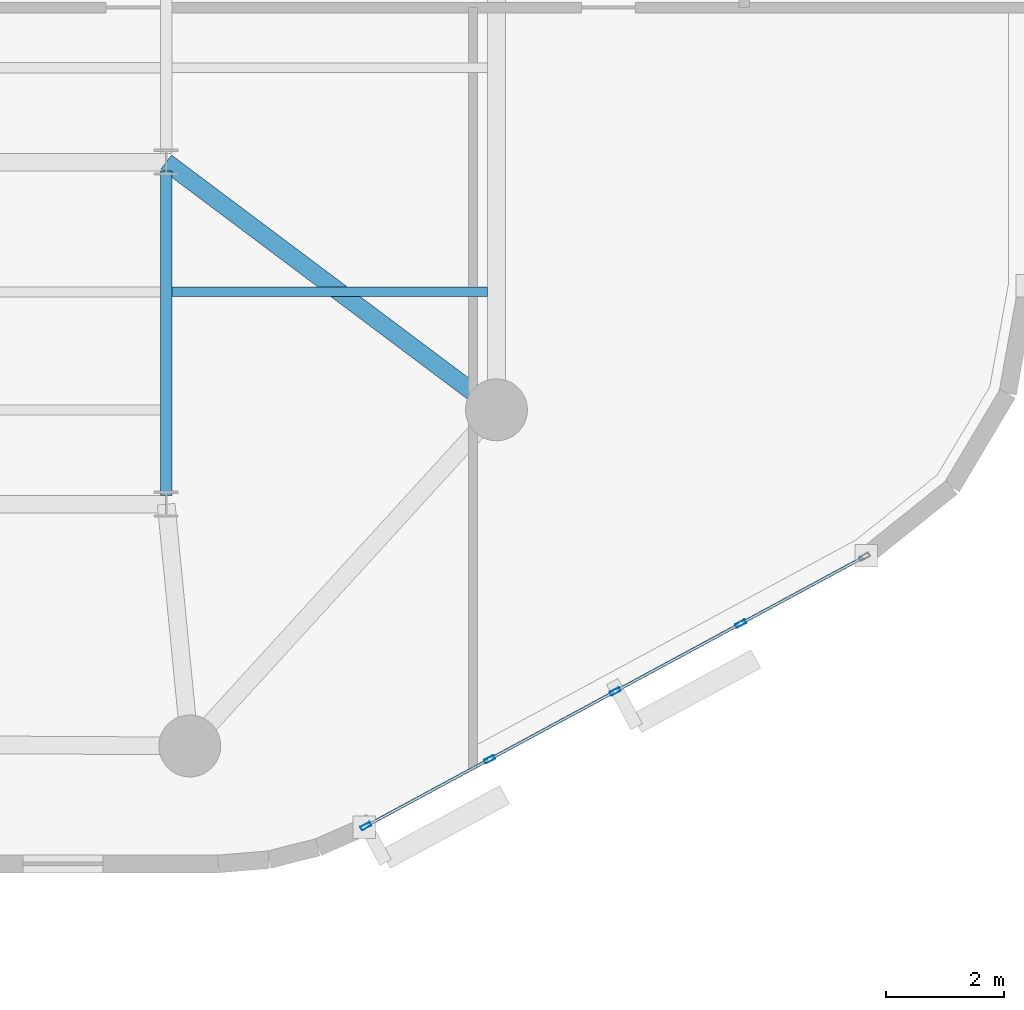
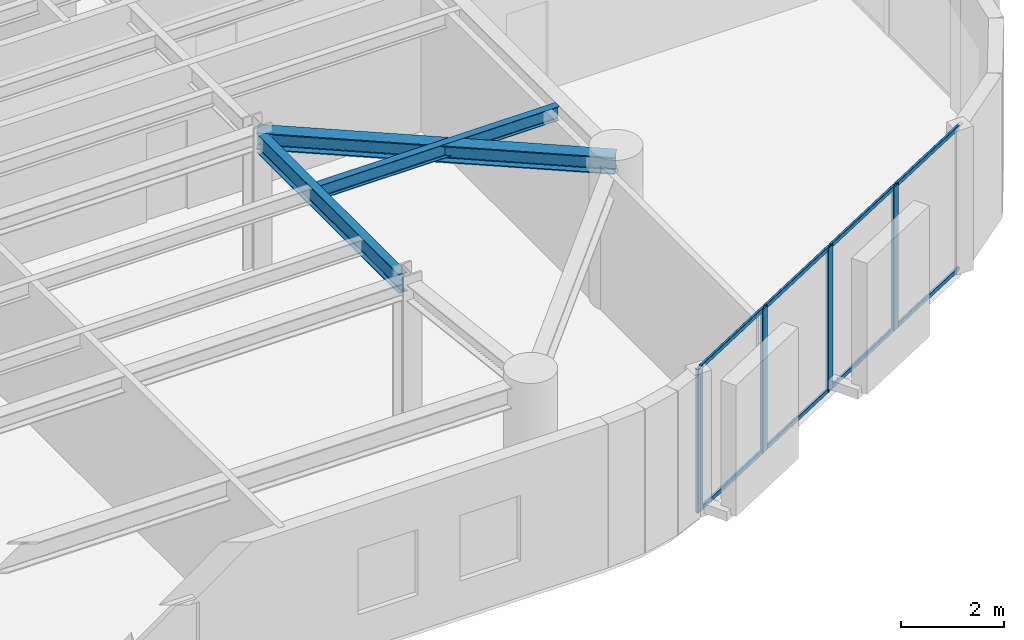
# One storey, part 2 of 13: 12 members, 3 beams, 1 element without a shape of its own.
"""IFC4 building model written with IfcOpenShell, lengths in metres."""

from ifc_helpers import new_model, si_unit, direction, frame, origin, origin_2d, place, context, subcontext, project, spatial, hollow_rectangle, i_section, extrude, material, layer, layer_set, material_profile, profile_set, type_object, element, aggregate, save


model = new_model("IFC4")

# Units and contexts
model_context = context("Model", 3, precision=1e-05, world=origin(), true_north=direction((0.0, 1.0)))
body_context = subcontext(model_context, "Body", "Model", "MODEL_VIEW")
ifc_project = project(units=[si_unit("LENGTHUNIT", "METRE"), si_unit("AREAUNIT", "SQUARE_METRE"), si_unit("VOLUMEUNIT", "CUBIC_METRE"), si_unit("PLANEANGLEUNIT", "RADIAN"), si_unit("MASSUNIT", "GRAM", prefix="KILO")], contexts=[model_context])

# Site, building, storey
site_placement = place(None, origin())
site = spatial("IfcSite", under=ifc_project, at=site_placement, CompositionType="ELEMENT")
building_placement = place(site_placement, origin())
building = spatial("IfcBuilding", under=site, at=building_placement, Name="An Khanh Terracotta Commons", CompositionType="ELEMENT")
storey_placement = place(building_placement, frame((0.0, 0.0, 212.10009765625)))
storey = spatial("IfcBuildingStorey", under=building, at=storey_placement, Name="L55", CompositionType="ELEMENT", Elevation=212.10009765625)

# Beams
ifc_material_1 = material(Name="Steel S355J2", Category="steel")
ifc_material_profile_1 = material_profile(ifc_material_1, i_section(OverallWidth=0.300048828125, OverallDepth=0.39990234375, WebThickness=0.013427734375, FlangeThickness=0.02392578125, FilletRadius=0.027099609375, at=origin_2d()), Name="HEB400")
ifc_profile_set_1 = profile_set([ifc_material_profile_1], Name="Steel S355J2")
beam_type_1 = type_object("IfcBeamType", Name="BM-HEB400", PredefinedType="BEAM", material=ifc_profile_set_1)
beam_1_placement = place(storey_placement, frame((59.60009765625, 16.0, 3.199951171875), z_axis=(-0.800008370399, 0.599988839305, 0.0), x_axis=(-0.599988839305, -0.800008370399, 0.0)))
element("IfcBeam", 1, at=beam_1_placement, inside=storey, type_object=beam_type_1, Name="L55 Mega-Column Tie Girder 3", PredefinedType="BEAM", context=body_context, shape_type="SweptSolid", body=[
    extrude(i_section(OverallWidth=0.300048828125, OverallDepth=0.39990234375, WebThickness=0.013427734375, FlangeThickness=0.02392578125, FilletRadius=0.027099609375, at=origin_2d()), origin(), (0.0, 0.0, 1.0), 7.0),
])
ifc_material_profile_2 = material_profile(ifc_material_1, i_section(OverallWidth=0.159912109375, OverallDepth=0.330078125, WebThickness=0.007568359375, FlangeThickness=0.011474609375, FilletRadius=0.01806640625, at=origin_2d()), Name="IPE330")
ifc_profile_set_2 = profile_set([ifc_material_profile_2], Name="Steel S355J2")
beam_type_2 = type_object("IfcBeamType", Name="BM-IPE330", PredefinedType="JOIST", material=ifc_profile_set_2)
beam_2_placement = place(storey_placement, frame((54.094970703125, 18.0, 3.23486328125), z_axis=(1.0, 0.0, 0.0), x_axis=(0.0, 1.0, 0.0)))
element("IfcBeam", 2, at=beam_2_placement, inside=storey, type_object=beam_type_2, Name="L55 Riverfront Composite Joist 2", PredefinedType="JOIST", context=body_context, shape_type="SweptSolid", body=[
    extrude(i_section(OverallWidth=0.159912109375, OverallDepth=0.330078125, WebThickness=0.007568359375, FlangeThickness=0.011474609375, FilletRadius=0.01806640625, at=origin_2d()), origin(), (0.0, 0.0, 1.0), 5.35498046875),
])
ifc_material_profile_3 = material_profile(ifc_material_1, i_section(OverallWidth=0.18994140625, OverallDepth=0.449951171875, WebThickness=0.009521484375, FlangeThickness=0.0146484375, FilletRadius=0.02099609375, at=origin_2d()), Name="IPE450")
ifc_profile_set_3 = profile_set([ifc_material_profile_3], Name="Steel S355J2")
beam_type_3 = type_object("IfcBeamType", Name="BM-IPE450", PredefinedType="JOIST", material=ifc_profile_set_3)
beam_3_placement = place(storey_placement, frame((54.0, 14.550048828125, 3.1748046875), z_axis=(0.0, 1.0, 0.0), x_axis=(-1.0, 0.0, 0.0)))
element("IfcBeam", 3, at=beam_3_placement, inside=storey, type_object=beam_type_3, Name="L55 East Spine Girder 1", PredefinedType="JOIST", context=body_context, shape_type="SweptSolid", body=[
    extrude(i_section(OverallWidth=0.18994140625, OverallDepth=0.449951171875, WebThickness=0.009521484375, FlangeThickness=0.0146484375, FilletRadius=0.02099609375, at=origin_2d()), origin(), (0.0, 0.0, 1.0), 5.5),
])

# Curtain wall, members
ifc_material_2 = material(Name="Anodised Aluminium 6063-T6", Category="aluminium")
ifc_layer = layer(ifc_material_2, 0.2099609375, Name="Anodised Aluminium 6063-T6")
ifc_layer_set = layer_set([ifc_layer], Name="Anodised Aluminium 6063-T6")
curtain_wall_type = type_object("IfcCurtainWallType", Name="CW-SYS-03", PredefinedType="USERDEFINED", material=ifc_layer_set)
curtain_wall_placement = place(storey_placement, origin())
curtain_wall = element("IfcCurtainWall", 4, at=curtain_wall_placement, inside=storey, type_object=curtain_wall_type, Name="L55 CW-03 Unitised Curtain Wall CW-L55-08", ObjectType="UNITISED CURTAIN WALL", PredefinedType="USERDEFINED")
ifc_material_profile_4 = material_profile(ifc_material_2, hollow_rectangle(XDim=0.070068359375, YDim=0.179931640625, WallThickness=0.00390625, InnerFilletRadius=0.00390625, OuterFilletRadius=0.008056640625, at=origin_2d()), Name="RHS180x70x4")
ifc_profile_set_4 = profile_set([ifc_material_profile_4], Name="Anodised Aluminium 6063-T6")
member_type_1 = type_object("IfcMemberType", Name="CWM-RHS180x70x4", PredefinedType="MULLION", material=ifc_profile_set_4)
member_1_placement = place(storey_placement, frame((57.3876953125, 8.941650390625, 0.0), z_axis=(0.0, 0.0, 1.0), x_axis=(-0.47538088298, 0.879780095306, 0.0)))
member_1 = element("IfcMember", 5, at=member_1_placement, type_object=member_type_1, Name="CW-03 mullion 1", PredefinedType="MULLION", context=body_context, shape_type="SweptSolid", body=[
    extrude(hollow_rectangle(XDim=0.070068359375, YDim=0.179931640625, WallThickness=0.00390625, InnerFilletRadius=0.00390625, OuterFilletRadius=0.008056640625, at=origin_2d()), origin(), (0.0, 0.0, 1.0), 3.39990234375),
])
member_2_placement = place(storey_placement, frame((59.48583984375, 10.0751953125, 0.0), z_axis=(0.0, 0.0, 1.0), x_axis=(-0.47538088298, 0.879780095306, 0.0)))
member_2 = element("IfcMember", 6, at=member_2_placement, type_object=member_type_1, Name="CW-03 mullion 2", PredefinedType="MULLION", context=body_context, shape_type="SweptSolid", body=[
    extrude(hollow_rectangle(XDim=0.070068359375, YDim=0.179931640625, WallThickness=0.00390625, InnerFilletRadius=0.00390625, OuterFilletRadius=0.008056640625, at=origin_2d()), origin(), (0.0, 0.0, 1.0), 3.39990234375),
])
member_3_placement = place(storey_placement, frame((61.614501953125, 11.2255859375, 0.0), z_axis=(0.0, 0.0, 1.0), x_axis=(-0.47538088298, 0.879780095306, 0.0)))
member_3 = element("IfcMember", 7, at=member_3_placement, type_object=member_type_1, Name="CW-03 mullion 3", PredefinedType="MULLION", context=body_context, shape_type="SweptSolid", body=[
    extrude(hollow_rectangle(XDim=0.070068359375, YDim=0.179931640625, WallThickness=0.00390625, InnerFilletRadius=0.00390625, OuterFilletRadius=0.008056640625, at=origin_2d()), origin(), (0.0, 0.0, 1.0), 3.39990234375),
])
member_4_placement = place(storey_placement, frame((63.7431640625, 12.375732421875, 0.0), z_axis=(0.0, 0.0, 1.0), x_axis=(-0.47538088298, 0.879780095306, 0.0)))
member_4 = element("IfcMember", 8, at=member_4_placement, type_object=member_type_1, Name="CW-03 mullion 4", PredefinedType="MULLION", context=body_context, shape_type="SweptSolid", body=[
    extrude(hollow_rectangle(XDim=0.070068359375, YDim=0.179931640625, WallThickness=0.00390625, InnerFilletRadius=0.00390625, OuterFilletRadius=0.008056640625, at=origin_2d()), origin(), (0.0, 0.0, 1.0), 3.39990234375),
])
ifc_material_profile_5 = material_profile(ifc_material_2, hollow_rectangle(XDim=0.050048828125, YDim=0.10009765625, WallThickness=0.003173828125, InnerFilletRadius=0.003173828125, OuterFilletRadius=0.00634765625, at=origin_2d()), Name="RHS100x50x3.2")
ifc_profile_set_5 = profile_set([ifc_material_profile_5], Name="Anodised Aluminium 6063-T6")
member_type_2 = type_object("IfcMemberType", Name="CWT-RHS100x50x3.2", PredefinedType="USERDEFINED", material=ifc_profile_set_5)
member_5_placement = place(storey_placement, frame((57.418701171875, 8.958251953125, 0.02490234375), z_axis=(0.879779245677, 0.475382455373, 0.0), x_axis=(-0.475382455373, 0.879779245677, 0.0)))
member_5 = element("IfcMember", 9, at=member_5_placement, type_object=member_type_2, Name="CW-03 transom 1.1", ObjectType="TRANSOM", PredefinedType="USERDEFINED", context=body_context, shape_type="SweptSolid", body=[
    extrude(hollow_rectangle(XDim=0.050048828125, YDim=0.10009765625, WallThickness=0.003173828125, InnerFilletRadius=0.003173828125, OuterFilletRadius=0.00634765625, at=origin_2d()), origin(), (0.0, 0.0, 1.0), 2.314697265625),
])
member_6_placement = place(storey_placement, frame((57.418701171875, 8.958251953125, 3.375), z_axis=(0.879779245677, 0.475382455373, 0.0), x_axis=(-0.475382455373, 0.879779245677, 0.0)))
member_6 = element("IfcMember", 10, at=member_6_placement, type_object=member_type_2, Name="CW-03 transom 1.2", ObjectType="TRANSOM", PredefinedType="USERDEFINED", context=body_context, shape_type="SweptSolid", body=[
    extrude(hollow_rectangle(XDim=0.050048828125, YDim=0.10009765625, WallThickness=0.003173828125, InnerFilletRadius=0.003173828125, OuterFilletRadius=0.00634765625, at=origin_2d()), origin(), (0.0, 0.0, 1.0), 2.314697265625),
])
member_7_placement = place(storey_placement, frame((59.5166015625, 10.091796875, 0.02490234375), z_axis=(0.879782861449, 0.475375763686, 0.0), x_axis=(-0.475375763686, 0.879782861449, 0.0)))
member_7 = element("IfcMember", 11, at=member_7_placement, type_object=member_type_2, Name="CW-03 transom 2.1", ObjectType="TRANSOM", PredefinedType="USERDEFINED", context=body_context, shape_type="SweptSolid", body=[
    extrude(hollow_rectangle(XDim=0.050048828125, YDim=0.10009765625, WallThickness=0.003173828125, InnerFilletRadius=0.003173828125, OuterFilletRadius=0.00634765625, at=origin_2d()), origin(), (0.0, 0.0, 1.0), 2.349609375),
])
member_8_placement = place(storey_placement, frame((59.5166015625, 10.091796875, 3.375), z_axis=(0.879782861449, 0.475375763686, 0.0), x_axis=(-0.475375763686, 0.879782861449, 0.0)))
member_8 = element("IfcMember", 12, at=member_8_placement, type_object=member_type_2, Name="CW-03 transom 2.2", ObjectType="TRANSOM", PredefinedType="USERDEFINED", context=body_context, shape_type="SweptSolid", body=[
    extrude(hollow_rectangle(XDim=0.050048828125, YDim=0.10009765625, WallThickness=0.003173828125, InnerFilletRadius=0.003173828125, OuterFilletRadius=0.00634765625, at=origin_2d()), origin(), (0.0, 0.0, 1.0), 2.349609375),
])
member_9_placement = place(storey_placement, frame((61.645263671875, 11.2421875, 0.02490234375), z_axis=(0.879782861449, 0.475375763686, 0.0), x_axis=(-0.475375763686, 0.879782861449, 0.0)))
member_9 = element("IfcMember", 13, at=member_9_placement, type_object=member_type_2, Name="CW-03 transom 3.1", ObjectType="TRANSOM", PredefinedType="USERDEFINED", context=body_context, shape_type="SweptSolid", body=[
    extrude(hollow_rectangle(XDim=0.050048828125, YDim=0.10009765625, WallThickness=0.003173828125, InnerFilletRadius=0.003173828125, OuterFilletRadius=0.00634765625, at=origin_2d()), origin(), (0.0, 0.0, 1.0), 2.349609375),
])
member_10_placement = place(storey_placement, frame((61.645263671875, 11.2421875, 3.375), z_axis=(0.879782861449, 0.475375763686, 0.0), x_axis=(-0.475375763686, 0.879782861449, 0.0)))
member_10 = element("IfcMember", 14, at=member_10_placement, type_object=member_type_2, Name="CW-03 transom 3.2", ObjectType="TRANSOM", PredefinedType="USERDEFINED", context=body_context, shape_type="SweptSolid", body=[
    extrude(hollow_rectangle(XDim=0.050048828125, YDim=0.10009765625, WallThickness=0.003173828125, InnerFilletRadius=0.003173828125, OuterFilletRadius=0.00634765625, at=origin_2d()), origin(), (0.0, 0.0, 1.0), 2.349609375),
])
member_11_placement = place(storey_placement, frame((63.77392578125, 12.392333984375, 0.02490234375), z_axis=(0.879779245677, 0.475382455373, 0.0), x_axis=(-0.475382455373, 0.879779245677, 0.0)))
member_11 = element("IfcMember", 15, at=member_11_placement, type_object=member_type_2, Name="CW-03 transom 4.1", ObjectType="TRANSOM", PredefinedType="USERDEFINED", context=body_context, shape_type="SweptSolid", body=[
    extrude(hollow_rectangle(XDim=0.050048828125, YDim=0.10009765625, WallThickness=0.003173828125, InnerFilletRadius=0.003173828125, OuterFilletRadius=0.00634765625, at=origin_2d()), origin(), (0.0, 0.0, 1.0), 2.314697265625),
])
member_12_placement = place(storey_placement, frame((63.77392578125, 12.392333984375, 3.375), z_axis=(0.879779245677, 0.475382455373, 0.0), x_axis=(-0.475382455373, 0.879779245677, 0.0)))
member_12 = element("IfcMember", 16, at=member_12_placement, type_object=member_type_2, Name="CW-03 transom 4.2", ObjectType="TRANSOM", PredefinedType="USERDEFINED", context=body_context, shape_type="SweptSolid", body=[
    extrude(hollow_rectangle(XDim=0.050048828125, YDim=0.10009765625, WallThickness=0.003173828125, InnerFilletRadius=0.003173828125, OuterFilletRadius=0.00634765625, at=origin_2d()), origin(), (0.0, 0.0, 1.0), 2.314697265625),
])
aggregate(curtain_wall, [member_1, member_2, member_3, member_4, member_5, member_6, member_7, member_8, member_9, member_10, member_11, member_12])

save(model, "model.ifc")
